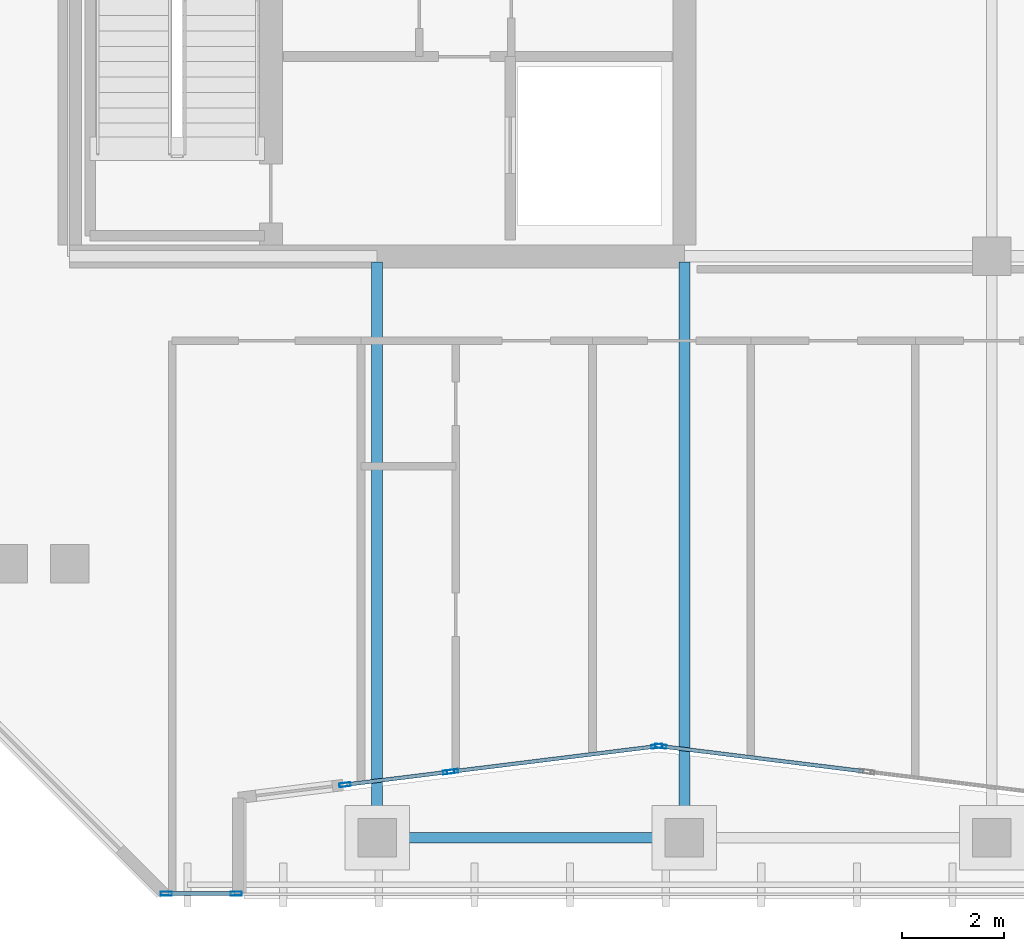
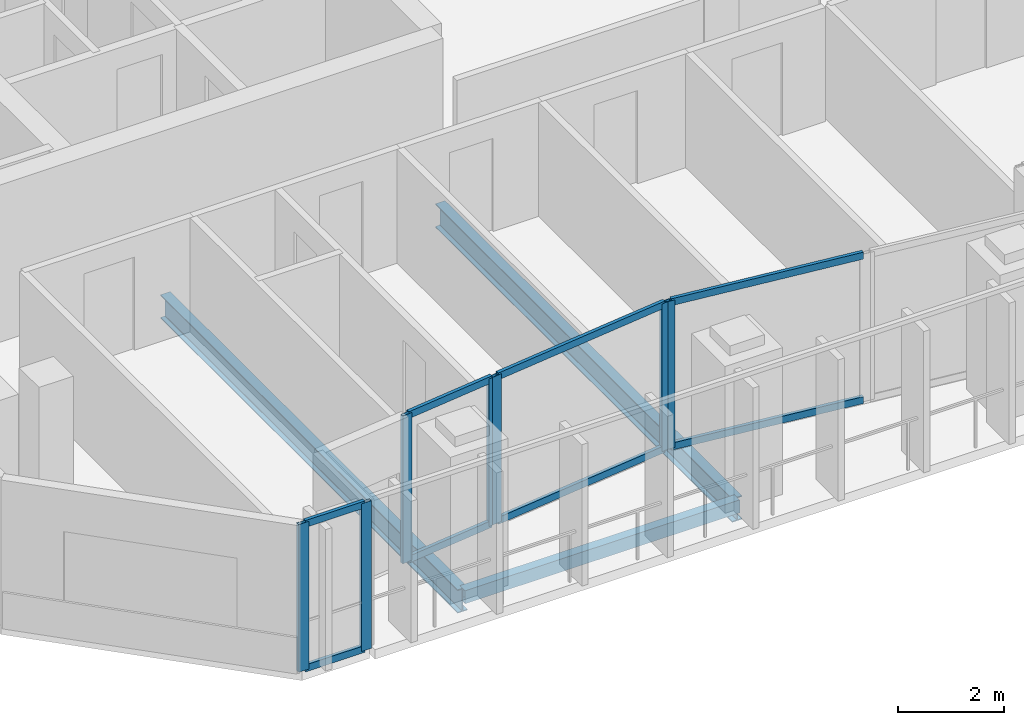
# One storey, part 2 of 31: 15 members, 3 beams, 4 elements without a shape of their own.
"""IFC4 building model written with IfcOpenShell, lengths in metres."""

from ifc_helpers import new_model, si_unit, direction, frame, origin, origin_2d, place, context, subcontext, project, spatial, hollow_rectangle, i_section, extrude, material, layer, layer_set, material_profile, profile_set, type_object, element, aggregate, save


model = new_model("IFC4")

# Units and contexts
model_context = context("Model", 3, precision=1e-05, world=origin(), true_north=direction((0.0, 1.0)))
body_context = subcontext(model_context, "Body", "Model", "MODEL_VIEW")
ifc_project = project(units=[si_unit("LENGTHUNIT", "METRE"), si_unit("AREAUNIT", "SQUARE_METRE"), si_unit("VOLUMEUNIT", "CUBIC_METRE"), si_unit("PLANEANGLEUNIT", "RADIAN"), si_unit("MASSUNIT", "GRAM", prefix="KILO")], contexts=[model_context])

# Site, building, storey
site_placement = place(None, origin())
site = spatial("IfcSite", under=ifc_project, at=site_placement, CompositionType="ELEMENT")
building_placement = place(site_placement, origin())
building = spatial("IfcBuilding", under=site, at=building_placement, Name="Tanjung Sevakor Pilgrim Tower", CompositionType="ELEMENT")
storey_placement = place(building_placement, frame((0.0, 0.0, 208.22998046875)))
storey = spatial("IfcBuildingStorey", under=building, at=storey_placement, Name="L58", CompositionType="ELEMENT", Elevation=208.22998046875)

# Beams
ifc_material_1 = material(Name="Steel S355J2", Category="steel")
ifc_material_profile_1 = material_profile(ifc_material_1, i_section(OverallWidth=0.2119140625, OverallDepth=0.54443359375, WebThickness=0.0126953125, FlangeThickness=0.021240234375, FilletRadius=0.0126953125, at=origin_2d()))
ifc_profile_set_1 = profile_set([ifc_material_profile_1], Name="Steel S355J2")
beam_type_1 = type_object("IfcBeamType", Name="BM-B-G5-UB_533x210x122", PredefinedType="BEAM", material=ifc_profile_set_1)
for number, where, z_axis, x_axis, name in (
    (1, (30.0, 13.25, -0.4921875), (0.0, 1.0, 0.0), (-1.0, 0.0, 0.0), "L58 MAIN Girder 001"),
    (2, (36.0, 13.25, -0.4921875), (0.0, 1.0, 0.0), (-1.0, 0.0, 0.0), "L58 MAIN Girder 003"),
):
    element("IfcBeam", number, at=place(storey_placement, frame(where, z_axis=z_axis, x_axis=x_axis)), inside=storey, type_object=beam_type_1, Name=name, PredefinedType="BEAM", context=body_context, shape_type="SweptSolid", body=[
        extrude(i_section(OverallWidth=0.2119140625, OverallDepth=0.54443359375, WebThickness=0.0126953125, FlangeThickness=0.021240234375, FilletRadius=0.0126953125, at=origin_2d()), origin(), (0.0, 0.0, 1.0), 11.235595703125),
    ])
ifc_material_2 = material(Name="Steel S355J2", Category="steel")
ifc_material_profile_2 = material_profile(ifc_material_2, hollow_rectangle(XDim=0.199951171875, YDim=0.300048828125, WallThickness=0.012451171875, at=origin_2d()))
ifc_profile_set_2 = profile_set([ifc_material_profile_2], Name="Steel S355J2")
beam_type_2 = type_object("IfcBeamType", Name="BM-B-SP3-RHS_300x200x12.5", PredefinedType="SPANDREL", material=ifc_profile_set_2)
beam_placement = place(storey_placement, frame((30.0, 13.25, -0.369873046875), z_axis=(1.0, 0.0, 0.0), x_axis=(0.0, 1.0, 0.0)))
element("IfcBeam", 3, at=beam_placement, inside=storey, type_object=beam_type_2, Name="L58 Spandrel MAIN S-01", PredefinedType="SPANDREL", context=body_context, shape_type="SweptSolid", body=[
    extrude(hollow_rectangle(XDim=0.199951171875, YDim=0.300048828125, WallThickness=0.012451171875, at=origin_2d()), origin(), (0.0, 0.0, 1.0), 6.0),
])

# Curtain wall, members
ifc_material_3 = material(Name="Aluminium 6063-T6 and Low-E Glass", Category="aluminium")
ifc_layer = layer(ifc_material_3, 0.199951171875)
ifc_layer_set = layer_set([ifc_layer], Name="CW-SYS-PRAY")
curtain_wall_type = type_object("IfcCurtainWallType", Name="CW-SYS-PRAY", PredefinedType="NOTDEFINED", material=ifc_layer_set)
curtain_wall_1_placement = place(storey_placement, origin())
curtain_wall_1 = element("IfcCurtainWall", 4, at=curtain_wall_1_placement, inside=storey, type_object=curtain_wall_type, Name="L58 Curtain Wall CW-PRY-L58-0", PredefinedType="NOTDEFINED")
ifc_material_4 = material(Name="Aluminium 6063-T6", Category="aluminium")
ifc_material_profile_3 = material_profile(ifc_material_4, hollow_rectangle(XDim=0.074951171875, YDim=0.219970703125, WallThickness=0.0048828125, at=origin_2d()))
ifc_profile_set_3 = profile_set([ifc_material_profile_3], Name="Aluminium 6063-T6")
member_type_1 = type_object("IfcMemberType", Name="TYPE-CWM-2", PredefinedType="MULLION", material=ifc_profile_set_3)
member_1_placement = place(storey_placement, frame((25.883056640625, 12.159912109375, 0.0), z_axis=(0.0, 0.0, 1.0), x_axis=(0.0, 1.0, 0.0)))
member_1 = element("IfcMember", 5, at=member_1_placement, type_object=member_type_1, Name="CW-PRY mullion 1", PredefinedType="MULLION", context=body_context, shape_type="SweptSolid", body=[
    extrude(hollow_rectangle(XDim=0.074951171875, YDim=0.219970703125, WallThickness=0.0048828125, at=origin_2d()), origin(), (0.0, 0.0, 1.0), 3.409912109375),
])
member_2_placement = place(storey_placement, frame((27.25244140625, 12.159912109375, 0.0), z_axis=(0.0, 0.0, 1.0), x_axis=(0.0, 1.0, 0.0)))
member_2 = element("IfcMember", 6, at=member_2_placement, type_object=member_type_1, Name="CW-PRY mullion 2", PredefinedType="MULLION", context=body_context, shape_type="SweptSolid", body=[
    extrude(hollow_rectangle(XDim=0.074951171875, YDim=0.219970703125, WallThickness=0.0048828125, at=origin_2d()), origin(), (0.0, 0.0, 1.0), 3.409912109375),
])

curtain_wall_2_placement = place(storey_placement, origin())
curtain_wall_2 = element("IfcCurtainWall", 7, at=curtain_wall_2_placement, inside=storey, type_object=curtain_wall_type, Name="L58 Curtain Wall CW-PRY-L58-2B", PredefinedType="NOTDEFINED")
member_3_placement = place(storey_placement, frame((29.371826171875, 14.2841796875, 0.0), z_axis=(0.0, 0.0, 1.0), x_axis=(-0.122523701225, 0.992465587634, 0.0)))
member_3 = element("IfcMember", 8, at=member_3_placement, type_object=member_type_1, Name="CW-PRY mullion 1", PredefinedType="MULLION", context=body_context, shape_type="SweptSolid", body=[
    extrude(hollow_rectangle(XDim=0.074951171875, YDim=0.219970703125, WallThickness=0.0048828125, at=origin_2d()), origin(), (0.0, 0.0, 1.0), 3.409912109375),
])
member_4_placement = place(storey_placement, frame((31.399169921875, 14.53466796875, 0.0), z_axis=(0.0, 0.0, 1.0), x_axis=(-0.122523701225, 0.992465587634, 0.0)))
member_4 = element("IfcMember", 9, at=member_4_placement, type_object=member_type_1, Name="CW-PRY mullion 2", PredefinedType="MULLION", context=body_context, shape_type="SweptSolid", body=[
    extrude(hollow_rectangle(XDim=0.074951171875, YDim=0.219970703125, WallThickness=0.0048828125, at=origin_2d()), origin(), (0.0, 0.0, 1.0), 3.409912109375),
])

curtain_wall_3_placement = place(storey_placement, origin())
curtain_wall_3 = element("IfcCurtainWall", 10, at=curtain_wall_3_placement, inside=storey, type_object=curtain_wall_type, Name="L58 Curtain Wall CW-PRY-L58-3", PredefinedType="NOTDEFINED")
member_5_placement = place(storey_placement, frame((31.4736328125, 14.543701171875, 0.0), z_axis=(0.0, 0.0, 1.0), x_axis=(-0.122510533794, 0.992467213116, 0.0)))
member_5 = element("IfcMember", 11, at=member_5_placement, type_object=member_type_1, Name="CW-PRY mullion 1", PredefinedType="MULLION", context=body_context, shape_type="SweptSolid", body=[
    extrude(hollow_rectangle(XDim=0.074951171875, YDim=0.219970703125, WallThickness=0.0048828125, at=origin_2d()), origin(), (0.0, 0.0, 1.0), 3.409912109375),
])
member_6_placement = place(storey_placement, frame((35.462890625, 15.0361328125, 0.0), z_axis=(0.0, 0.0, 1.0), x_axis=(-0.122510533794, 0.992467213116, 0.0)))
member_6 = element("IfcMember", 12, at=member_6_placement, type_object=member_type_1, Name="CW-PRY mullion 2", PredefinedType="MULLION", context=body_context, shape_type="SweptSolid", body=[
    extrude(hollow_rectangle(XDim=0.074951171875, YDim=0.219970703125, WallThickness=0.0048828125, at=origin_2d()), origin(), (0.0, 0.0, 1.0), 3.409912109375),
])

# Curtain wall, member
curtain_wall_4_placement = place(storey_placement, origin())
curtain_wall_4 = element("IfcCurtainWall", 13, at=curtain_wall_4_placement, inside=storey, type_object=curtain_wall_type, Name="L58 Curtain Wall CW-PRY-L58-4", PredefinedType="NOTDEFINED")
member_7_placement = place(storey_placement, frame((35.537109375, 15.0361328125, 0.0), z_axis=(0.0, 0.0, 1.0), x_axis=(0.122510533794, 0.992467213116, 0.0)))
member_7 = element("IfcMember", 14, at=member_7_placement, type_object=member_type_1, Name="CW-PRY mullion 1", PredefinedType="MULLION", context=body_context, shape_type="SweptSolid", body=[
    extrude(hollow_rectangle(XDim=0.074951171875, YDim=0.219970703125, WallThickness=0.0048828125, at=origin_2d()), origin(), (0.0, 0.0, 1.0), 3.409912109375),
])

# Member
ifc_material_5 = material(Name="Aluminium 6063-T6", Category="aluminium")
ifc_material_profile_4 = material_profile(ifc_material_5, hollow_rectangle(XDim=0.074951171875, YDim=0.159912109375, WallThickness=0.00439453125, at=origin_2d()))
ifc_profile_set_4 = profile_set([ifc_material_profile_4], Name="Aluminium 6063-T6")
member_type_2 = type_object("IfcMemberType", Name="TYPE-CWT-2", PredefinedType="USERDEFINED", material=ifc_profile_set_4)
member_8_placement = place(storey_placement, frame((25.920654296875, 12.159912109375, 0.03759765625), z_axis=(1.0, 0.0, 0.0), x_axis=(0.0, 1.0, 0.0)))
member_8 = element("IfcMember", 15, at=member_8_placement, type_object=member_type_2, Name="CW-PRY transom 1.1", ObjectType="TRANSOM", PredefinedType="USERDEFINED", context=body_context, shape_type="SweptSolid", body=[
    extrude(hollow_rectangle(XDim=0.074951171875, YDim=0.159912109375, WallThickness=0.00439453125, at=origin_2d()), origin(), (0.0, 0.0, 1.0), 1.29443359375),
])

member_9_placement = place(storey_placement, frame((25.920654296875, 12.159912109375, 3.37255859375), z_axis=(1.0, 0.0, 0.0), x_axis=(0.0, 1.0, 0.0)))
member_9 = element("IfcMember", 16, at=member_9_placement, type_object=member_type_2, Name="CW-PRY transom 1.2", ObjectType="TRANSOM", PredefinedType="USERDEFINED", context=body_context, shape_type="SweptSolid", body=[
    extrude(hollow_rectangle(XDim=0.074951171875, YDim=0.159912109375, WallThickness=0.00439453125, at=origin_2d()), origin(), (0.0, 0.0, 1.0), 1.29443359375),
])

aggregate(curtain_wall_1, [member_1, member_2, member_8, member_9])

member_10_placement = place(storey_placement, frame((29.408935546875, 14.288818359375, 0.03759765625), z_axis=(0.992460017475, 0.122568812158, 0.0), x_axis=(-0.122568812158, 0.992460017475, 0.0)))
member_10 = element("IfcMember", 17, at=member_10_placement, type_object=member_type_2, Name="CW-PRY transom 1.1", ObjectType="TRANSOM", PredefinedType="USERDEFINED", context=body_context, shape_type="SweptSolid", body=[
    extrude(hollow_rectangle(XDim=0.074951171875, YDim=0.159912109375, WallThickness=0.00439453125, at=origin_2d()), origin(), (0.0, 0.0, 1.0), 1.968017578125),
])

member_11_placement = place(storey_placement, frame((29.408935546875, 14.288818359375, 3.37255859375), z_axis=(0.992460017475, 0.122568812158, 0.0), x_axis=(-0.122568812158, 0.992460017475, 0.0)))
member_11 = element("IfcMember", 18, at=member_11_placement, type_object=member_type_2, Name="CW-PRY transom 1.2", ObjectType="TRANSOM", PredefinedType="USERDEFINED", context=body_context, shape_type="SweptSolid", body=[
    extrude(hollow_rectangle(XDim=0.074951171875, YDim=0.159912109375, WallThickness=0.00439453125, at=origin_2d()), origin(), (0.0, 0.0, 1.0), 1.968017578125),
])

aggregate(curtain_wall_2, [member_3, member_4, member_10, member_11])

member_12_placement = place(storey_placement, frame((31.510986328125, 14.54833984375, 0.03759765625), z_axis=(0.992469042694, 0.122495711332, 0.0), x_axis=(-0.122495711332, 0.992469042694, 0.0)))
member_12 = element("IfcMember", 19, at=member_12_placement, type_object=member_type_2, Name="CW-PRY transom 1.1", ObjectType="TRANSOM", PredefinedType="USERDEFINED", context=body_context, shape_type="SweptSolid", body=[
    extrude(hollow_rectangle(XDim=0.074951171875, YDim=0.159912109375, WallThickness=0.00439453125, at=origin_2d()), origin(), (0.0, 0.0, 1.0), 3.9443359375),
])

member_13_placement = place(storey_placement, frame((31.510986328125, 14.54833984375, 3.37255859375), z_axis=(0.992469042694, 0.122495711332, 0.0), x_axis=(-0.122495711332, 0.992469042694, 0.0)))
member_13 = element("IfcMember", 20, at=member_13_placement, type_object=member_type_2, Name="CW-PRY transom 1.2", ObjectType="TRANSOM", PredefinedType="USERDEFINED", context=body_context, shape_type="SweptSolid", body=[
    extrude(hollow_rectangle(XDim=0.074951171875, YDim=0.159912109375, WallThickness=0.00439453125, at=origin_2d()), origin(), (0.0, 0.0, 1.0), 3.9443359375),
])

aggregate(curtain_wall_3, [member_5, member_6, member_12, member_13])

member_14_placement = place(storey_placement, frame((35.574462890625, 15.031494140625, 0.03759765625), z_axis=(0.992469042694, -0.122495711332, 0.0), x_axis=(0.122495711332, 0.992469042694, 0.0)))
member_14 = element("IfcMember", 21, at=member_14_placement, type_object=member_type_2, Name="CW-PRY transom 1.1", ObjectType="TRANSOM", PredefinedType="USERDEFINED", context=body_context, shape_type="SweptSolid", body=[
    extrude(hollow_rectangle(XDim=0.074951171875, YDim=0.159912109375, WallThickness=0.00439453125, at=origin_2d()), origin(), (0.0, 0.0, 1.0), 3.9443359375),
])

member_15_placement = place(storey_placement, frame((35.574462890625, 15.031494140625, 3.37255859375), z_axis=(0.992469042694, -0.122495711332, 0.0), x_axis=(0.122495711332, 0.992469042694, 0.0)))
member_15 = element("IfcMember", 22, at=member_15_placement, type_object=member_type_2, Name="CW-PRY transom 1.2", ObjectType="TRANSOM", PredefinedType="USERDEFINED", context=body_context, shape_type="SweptSolid", body=[
    extrude(hollow_rectangle(XDim=0.074951171875, YDim=0.159912109375, WallThickness=0.00439453125, at=origin_2d()), origin(), (0.0, 0.0, 1.0), 3.9443359375),
])

aggregate(curtain_wall_4, [member_7, member_14, member_15])

save(model, "model.ifc")
